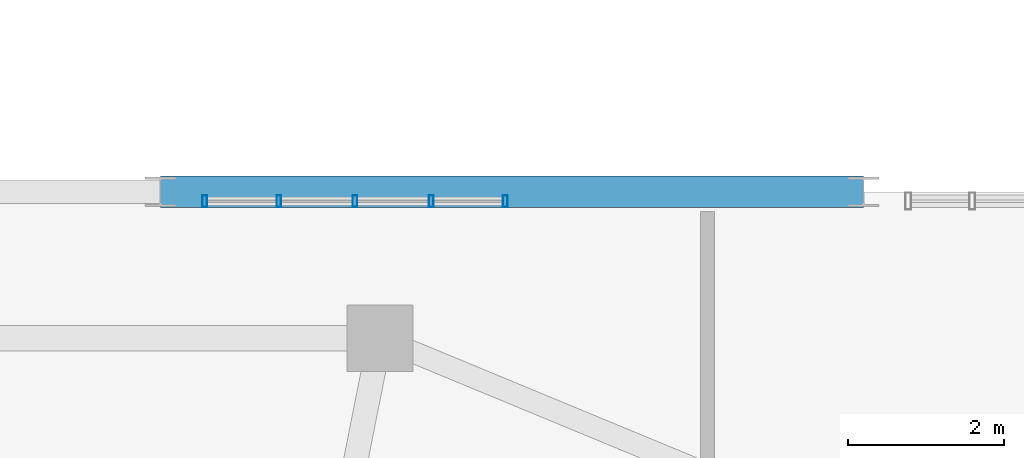
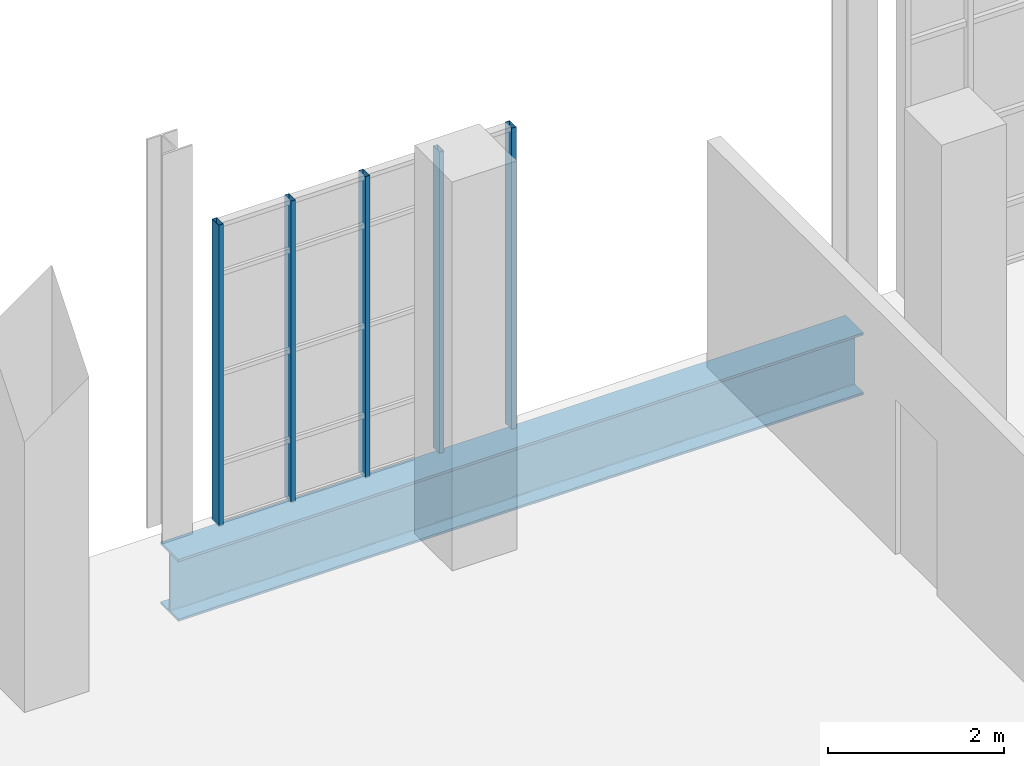
# One storey, part 84 of 189: 5 members, 1 beam, 1 element without a shape of its own.
"""IFC4 building model written with IfcOpenShell, lengths in metres."""

from ifc_helpers import new_model, si_unit, direction, frame, origin, origin_2d, place, context, subcontext, project, spatial, hollow_rectangle, i_section, extrude, material, layer, layer_set, material_profile, profile_set, type_object, element, aggregate, save


model = new_model("IFC4")

# Units and contexts
model_context = context("Model", 3, precision=1e-05, world=origin(), true_north=direction((0.0, 1.0)))
body_context = subcontext(model_context, "Body", "Model", "MODEL_VIEW")
ifc_project = project(units=[si_unit("LENGTHUNIT", "METRE"), si_unit("AREAUNIT", "SQUARE_METRE"), si_unit("VOLUMEUNIT", "CUBIC_METRE"), si_unit("PLANEANGLEUNIT", "RADIAN"), si_unit("MASSUNIT", "GRAM", prefix="KILO"), si_unit("THERMODYNAMICTEMPERATUREUNIT", "KELVIN"), si_unit("POWERUNIT", "WATT")], contexts=[model_context])

# Site, building, storey
site_placement = place(None, origin())
site = spatial("IfcSite", under=ifc_project, at=site_placement, CompositionType="ELEMENT")
building_placement = place(site_placement, origin())
building = spatial("IfcBuilding", under=site, at=building_placement, Name="Zelmaris Science Centre", CompositionType="ELEMENT")
storey_placement = place(building_placement, origin())
storey = spatial("IfcBuildingStorey", under=building, at=storey_placement, Name="L00", CompositionType="ELEMENT", Elevation=0.0)

# Curtain wall, members
ifc_material_1 = material(Name="Anodised architectural aluminium 6063-T6", Category="aluminium")
ifc_layer = layer(ifc_material_1, 0.219970703125, Name="Anodised architectural aluminium 6063-T6")
ifc_layer_set = layer_set([ifc_layer], Name="Anodised architectural aluminium 6063-T6")
curtain_wall_type = type_object("IfcCurtainWallType", Name="Curtain Wall CW-04", PredefinedType="USERDEFINED", material=ifc_layer_set)
curtain_wall_placement = place(storey_placement, origin())
curtain_wall = element("IfcCurtainWall", 1, at=curtain_wall_placement, inside=storey, type_object=curtain_wall_type, Name="L00 Unitised curtain wall 20", ObjectType="GLAZED CURTAIN WALL", PredefinedType="USERDEFINED")
ifc_material_profile_1 = material_profile(ifc_material_1, hollow_rectangle(XDim=0.06005859375, YDim=0.14990234375, WallThickness=0.00341796875, at=origin_2d()), Name="ALU-MUL-60X150")
ifc_profile_set_1 = profile_set([ifc_material_profile_1], Name="Anodised architectural aluminium 6063-T6")
member_type = type_object("IfcMemberType", Name="ALU-MUL-60X150", PredefinedType="MULLION", material=ifc_profile_set_1)
member_1_placement = place(storey_placement, frame((27.56591796875, 87.8798828125, -0.014892578125), z_axis=(0.0, 0.0, 1.0), x_axis=(1.0, 0.0, 0.0)))
member_1 = element("IfcMember", 2, at=member_1_placement, type_object=member_type, Name="CW-04 mullion 1", PredefinedType="MULLION", context=body_context, shape_type="SweptSolid", body=[
    extrude(hollow_rectangle(XDim=0.06005859375, YDim=0.14990234375, WallThickness=0.00341796875, at=origin_2d()), origin(), (0.0, 0.0, 1.0), 4.185791015625),
])
member_2_placement = place(storey_placement, frame((28.514892578125, 87.8798828125, -0.014892578125), z_axis=(0.0, 0.0, 1.0), x_axis=(1.0, 0.0, 0.0)))
member_2 = element("IfcMember", 3, at=member_2_placement, type_object=member_type, Name="CW-04 mullion 2", PredefinedType="MULLION", context=body_context, shape_type="SweptSolid", body=[
    extrude(hollow_rectangle(XDim=0.06005859375, YDim=0.14990234375, WallThickness=0.00341796875, at=origin_2d()), origin(), (0.0, 0.0, 1.0), 4.185791015625),
])
member_3_placement = place(storey_placement, frame((29.489990234375, 87.8798828125, -0.014892578125), z_axis=(0.0, 0.0, 1.0), x_axis=(1.0, 0.0, 0.0)))
member_3 = element("IfcMember", 4, at=member_3_placement, type_object=member_type, Name="CW-04 mullion 3", PredefinedType="MULLION", context=body_context, shape_type="SweptSolid", body=[
    extrude(hollow_rectangle(XDim=0.06005859375, YDim=0.14990234375, WallThickness=0.00341796875, at=origin_2d()), origin(), (0.0, 0.0, 1.0), 4.185791015625),
])
member_4_placement = place(storey_placement, frame((30.465087890625, 87.8798828125, -0.014892578125), z_axis=(0.0, 0.0, 1.0), x_axis=(1.0, 0.0, 0.0)))
member_4 = element("IfcMember", 5, at=member_4_placement, type_object=member_type, Name="CW-04 mullion 4", PredefinedType="MULLION", context=body_context, shape_type="SweptSolid", body=[
    extrude(hollow_rectangle(XDim=0.06005859375, YDim=0.14990234375, WallThickness=0.00341796875, at=origin_2d()), origin(), (0.0, 0.0, 1.0), 4.185791015625),
])
member_5_placement = place(storey_placement, frame((31.4140625, 87.8798828125, -0.014892578125), z_axis=(0.0, 0.0, 1.0), x_axis=(1.0, 0.0, 0.0)))
member_5 = element("IfcMember", 6, at=member_5_placement, type_object=member_type, Name="CW-04 mullion 5", PredefinedType="MULLION", context=body_context, shape_type="SweptSolid", body=[
    extrude(hollow_rectangle(XDim=0.06005859375, YDim=0.14990234375, WallThickness=0.00341796875, at=origin_2d()), origin(), (0.0, 0.0, 1.0), 4.185791015625),
])
aggregate(curtain_wall, [member_1, member_2, member_3, member_4, member_5])

# Beam
ifc_material_2 = material(Name="Steel ASTM A992 Grade 50", Category="steel")
ifc_material_profile_2 = material_profile(ifc_material_2, i_section(OverallWidth=0.404052734375, OverallDepth=0.861083984375, WebThickness=0.019775390625, FlangeThickness=0.032470703125, FilletRadius=0.02001953125, at=origin_2d()), Name="W33X221")
ifc_profile_set_2 = profile_set([ifc_material_profile_2], Name="Steel ASTM A992 Grade 50")
beam_type = type_object("IfcBeamType", Name="Beam G-28 W33X221", PredefinedType="BEAM", material=ifc_profile_set_2)
beam_placement = place(storey_placement, frame((27.0, 88.0, -0.71044921875), z_axis=(1.0, 0.0, 0.0), x_axis=(0.0, 1.0, 0.0)))
element("IfcBeam", 7, at=beam_placement, inside=storey, type_object=beam_type, Name="L00 East-west girder 172", PredefinedType="BEAM", context=body_context, shape_type="SweptSolid", body=[
    extrude(i_section(OverallWidth=0.404052734375, OverallDepth=0.861083984375, WebThickness=0.019775390625, FlangeThickness=0.032470703125, FilletRadius=0.02001953125, at=origin_2d()), origin(), (0.0, 0.0, 1.0), 9.0),
])

save(model, "model.ifc")
